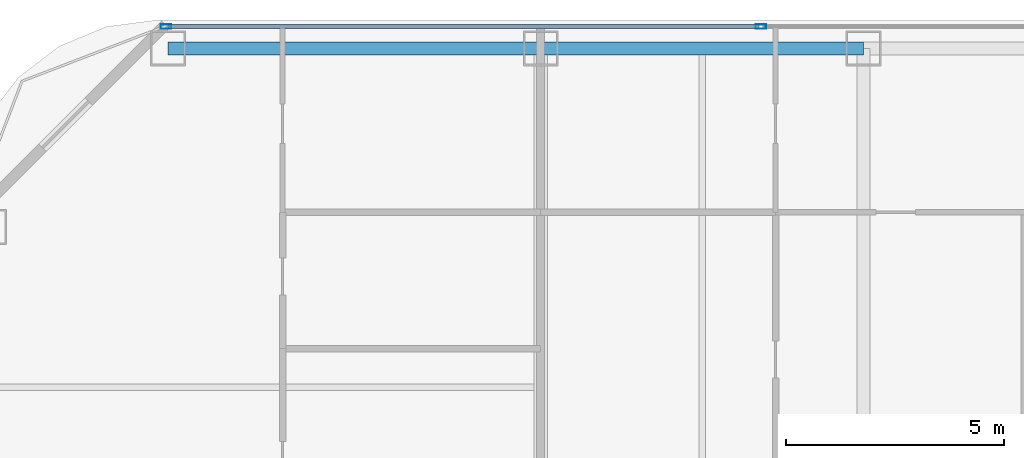
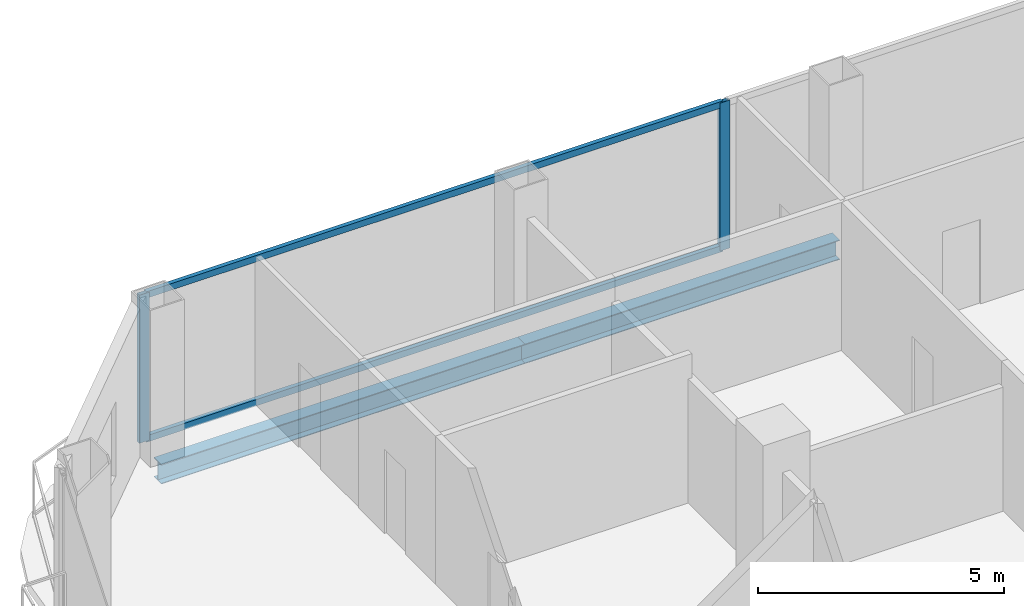
# One storey, part 15 of 27: 4 members, 2 beams, 1 element without a shape of its own.
"""IFC4 building model written with IfcOpenShell, lengths in metres."""

from ifc_helpers import new_model, si_unit, direction, frame, origin, origin_2d, place, context, subcontext, project, spatial, hollow_rectangle, i_section, extrude, material, layer, layer_set, material_profile, profile_set, type_object, element, aggregate, save


model = new_model("IFC4")

# Units and contexts
model_context = context("Model", 3, precision=1e-05, world=origin(), true_north=direction((0.0, 1.0)))
body_context = subcontext(model_context, "Body", "Model", "MODEL_VIEW")
ifc_project = project(units=[si_unit("LENGTHUNIT", "METRE"), si_unit("AREAUNIT", "SQUARE_METRE"), si_unit("VOLUMEUNIT", "CUBIC_METRE"), si_unit("PLANEANGLEUNIT", "RADIAN"), si_unit("MASSUNIT", "GRAM", prefix="KILO")], contexts=[model_context])

# Site, building, storey
site_placement = place(None, origin())
site = spatial("IfcSite", under=ifc_project, at=site_placement, CompositionType="ELEMENT")
building_placement = place(site_placement, origin())
building = spatial("IfcBuilding", under=site, at=building_placement, Name="Khorvyn Point Tower", CompositionType="ELEMENT")
storey_placement = place(building_placement, frame((0.0, 0.0, 96.89990234375)))
storey = spatial("IfcBuildingStorey", under=building, at=storey_placement, Name="L24", CompositionType="ELEMENT", Elevation=96.89990234375)

# Curtain wall, members
ifc_material_1 = material(Name="Anodised aluminium 6063-T6 and laminated Low-E glass", Category="aluminium")
ifc_layer = layer(ifc_material_1, 0.18994140625)
ifc_layer_set = layer_set([ifc_layer], Name="Stick-Built Finned Residential Curtain Wall CW-SYS-02")
curtain_wall_type = type_object("IfcCurtainWallType", Name="Stick-Built Finned Residential Curtain Wall CW-SYS-02", PredefinedType="NOTDEFINED", material=ifc_layer_set)
curtain_wall_placement = place(storey_placement, origin())
curtain_wall = element("IfcCurtainWall", 1, at=curtain_wall_placement, inside=storey, type_object=curtain_wall_type, Name="Curtain Wall", PredefinedType="NOTDEFINED")
ifc_material_2 = material(Name="Anodised aluminium 6063-T6", Category="aluminium")
ifc_material_profile_1 = material_profile(ifc_material_2, hollow_rectangle(XDim=0.10009765625, YDim=0.239990234375, WallThickness=0.0048828125, at=origin_2d()))
ifc_profile_set_1 = profile_set([ifc_material_profile_1], Name="Anodised aluminium 6063-T6 ALU-MUL-100x240")
member_type_1 = type_object("IfcMemberType", Name="Anodised Aluminium 6063-T6 Mullion ALU-MUL-100x240", PredefinedType="MULLION", material=ifc_profile_set_1)
member_1_placement = place(storey_placement, frame((-23.39990234375, 30.85009765625, 0.0), z_axis=(0.0, 0.0, 1.0), x_axis=(0.0, 1.0, 0.0)))
member_1 = element("IfcMember", 2, at=member_1_placement, type_object=member_type_1, Name="Transom", PredefinedType="MULLION", context=body_context, shape_type="SweptSolid", body=[
    extrude(hollow_rectangle(XDim=0.10009765625, YDim=0.239990234375, WallThickness=0.0048828125, at=origin_2d()), origin(), (0.0, 0.0, 1.0), 3.68017578125),
])
member_2_placement = place(storey_placement, frame((-9.75, 30.85009765625, 0.0), z_axis=(0.0, 0.0, 1.0), x_axis=(0.0, 1.0, 0.0)))
member_2 = element("IfcMember", 3, at=member_2_placement, type_object=member_type_1, Name="Transom", PredefinedType="MULLION", context=body_context, shape_type="SweptSolid", body=[
    extrude(hollow_rectangle(XDim=0.10009765625, YDim=0.239990234375, WallThickness=0.0048828125, at=origin_2d()), origin(), (0.0, 0.0, 1.0), 3.68017578125),
])
ifc_material_profile_2 = material_profile(ifc_material_2, hollow_rectangle(XDim=0.10009765625, YDim=0.159912109375, WallThickness=0.00439453125, at=origin_2d()))
ifc_profile_set_2 = profile_set([ifc_material_profile_2], Name="Anodised aluminium 6063-T6 ALU-TRN-100x160")
member_type_2 = type_object("IfcMemberType", Name="Anodised Aluminium 6063-T6 Transom ALU-TRN-100x160", PredefinedType="USERDEFINED", material=ifc_profile_set_2)
member_3_placement = place(storey_placement, frame((-23.35009765625, 30.85009765625, 0.050048828125), z_axis=(1.0, 0.0, 0.0), x_axis=(0.0, 1.0, 0.0)))
member_3 = element("IfcMember", 4, at=member_3_placement, type_object=member_type_2, Name="Transom", ObjectType="TRANSOM", PredefinedType="USERDEFINED", context=body_context, shape_type="SweptSolid", body=[
    extrude(hollow_rectangle(XDim=0.10009765625, YDim=0.159912109375, WallThickness=0.00439453125, at=origin_2d()), origin(), (0.0, 0.0, 1.0), 13.550048828125),
])
member_4_placement = place(storey_placement, frame((-23.35009765625, 30.85009765625, 3.630126953125), z_axis=(1.0, 0.0, 0.0), x_axis=(0.0, 1.0, 0.0)))
member_4 = element("IfcMember", 5, at=member_4_placement, type_object=member_type_2, Name="Transom", ObjectType="TRANSOM", PredefinedType="USERDEFINED", context=body_context, shape_type="SweptSolid", body=[
    extrude(hollow_rectangle(XDim=0.10009765625, YDim=0.159912109375, WallThickness=0.00439453125, at=origin_2d()), origin(), (0.0, 0.0, 1.0), 13.550048828125),
])
aggregate(curtain_wall, [member_1, member_2, member_3, member_4])

# Beams
ifc_material_3 = material(Name="Steel S355", Category="steel")
ifc_material_profile_3 = material_profile(ifc_material_3, i_section(OverallWidth=0.300048828125, OverallDepth=0.488037109375, WebThickness=0.010986328125, FlangeThickness=0.01806640625, at=origin_2d()))
ifc_profile_set_3 = profile_set([ifc_material_profile_3], Name="Steel S355 H488x300x11x18")
beam_type = type_object("IfcBeamType", Name="Steel S355 Spandrel H488x300x11x18", PredefinedType="SPANDREL", material=ifc_profile_set_3)
beam_1_placement = place(storey_placement, frame((-23.35009765625, 30.35009765625, -0.4638671875), z_axis=(1.0, 0.0, 0.0), x_axis=(0.0, 1.0, 0.0)))
element("IfcBeam", 6, at=beam_1_placement, inside=storey, type_object=beam_type, Name="Beam", PredefinedType="SPANDREL", context=body_context, shape_type="SweptSolid", body=[
    extrude(i_section(OverallWidth=0.300048828125, OverallDepth=0.488037109375, WebThickness=0.010986328125, FlangeThickness=0.01806640625, at=origin_2d()), origin(), (0.0, 0.0, 1.0), 8.550048828125),
])
beam_2_placement = place(storey_placement, frame((-14.800048828125, 30.35009765625, -0.4638671875), z_axis=(1.0, 0.0, 0.0), x_axis=(0.0, 1.0, 0.0)))
element("IfcBeam", 7, at=beam_2_placement, inside=storey, type_object=beam_type, Name="Beam", PredefinedType="SPANDREL", context=body_context, shape_type="SweptSolid", body=[
    extrude(i_section(OverallWidth=0.300048828125, OverallDepth=0.488037109375, WebThickness=0.010986328125, FlangeThickness=0.01806640625, at=origin_2d()), origin(), (0.0, 0.0, 1.0), 7.400146484375),
])

save(model, "model.ifc")
